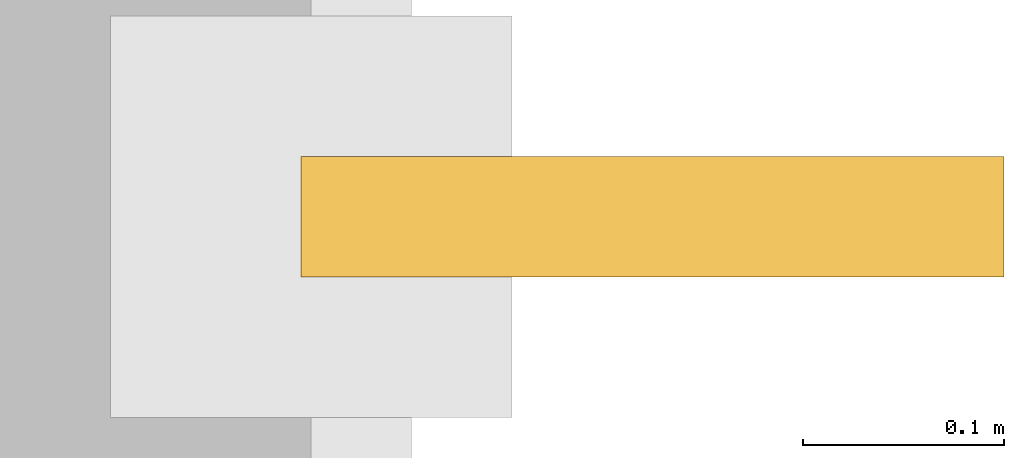
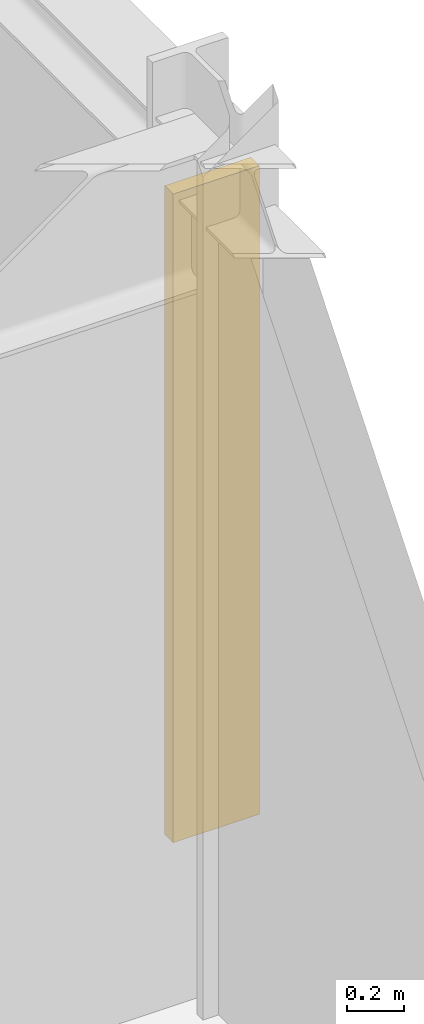
# One storey, part 18 of 18: 1 shading device.
"""IFC4 building model written with IfcOpenShell, lengths in metres."""

import ifcopenshell
import ifcopenshell.guid

model = None  # the IFC model being written
_history = None  # IfcOwnerHistory: only IFC2X3 demands one
_inside = {}  # id of a spatial element -> (the spatial element, [elements in it])
_under = {}  # id of a project, library or spatial element -> (it, [spatial elements below it])
_declared = {}  # id of a project -> (the project, [libraries it declares])
_typed = {}  # id of a type object -> (the type object, [elements of that type])
_made_of = {}  # id of a material, layer set ... -> (it, [elements and type objects made of it])


def new_model(schema):
    """Start an empty IFC model of exactly this schema.

    Asked for "IFC4X3", IfcOpenShell would pick the latest addendum, in which some entities
    have other attributes; the version numbers below select the first issue.
    IFC2X3 requires an IfcOwnerHistory on every rooted entity: one is made here for all.
    """
    global model, _history
    if schema == "IFC4X3":
        model = ifcopenshell.file(schema_version=(4, 3, 0, 0))
    else:
        model = ifcopenshell.file(schema=schema)
    _inside.clear()
    _under.clear()
    _declared.clear()
    _typed.clear()
    _made_of.clear()
    _history = None
    if model.schema == "IFC2X3":
        org = make("IfcOrganization", Name="unknown")
        user = make(
            "IfcPersonAndOrganization",
            ThePerson=make("IfcPerson", FamilyName="unknown"),
            TheOrganization=org,
        )
        app = make(
            "IfcApplication",
            ApplicationDeveloper=org,
            Version="unknown",
            ApplicationFullName="unknown",
            ApplicationIdentifier="unknown",
        )
        _history = make(
            "IfcOwnerHistory",
            OwningUser=user,
            OwningApplication=app,
            ChangeAction="ADDED",
            CreationDate=0,
        )
    return model


def make(cls, **values):
    """One entity of the class cls with the attributes given. An attribute that is None is left unset."""
    return model.create_entity(
        cls, **{name: value for name, value in values.items() if value is not None}
    )


def rooted(cls, **values):
    """An entity with a GlobalId (a new one), such as an element, a storey or a relation."""
    return make(cls, GlobalId=ifcopenshell.guid.new(), OwnerHistory=_history, **values)


def si_unit(unit_type, name, prefix=None):
    """IfcSIUnit, for example si_unit("LENGTHUNIT", "METRE", prefix="MILLI")."""
    return make("IfcSIUnit", UnitType=unit_type, Prefix=prefix, Name=name)


def assignment(units):
    """IfcUnitAssignment: the units of a project."""
    return None if units is None else make("IfcUnitAssignment", Units=units)


def point(xyz):
    """IfcCartesianPoint."""
    return None if xyz is None else make("IfcCartesianPoint", Coordinates=xyz)


def direction(xyz):
    """IfcDirection."""
    return None if xyz is None else make("IfcDirection", DirectionRatios=xyz)


def frame(location, z_axis=None, x_axis=None):
    """IfcAxis2Placement3D, a coordinate frame: its origin and axes. An axis left out is left unset."""
    return make(
        "IfcAxis2Placement3D",
        Location=point(location),
        Axis=direction(z_axis),
        RefDirection=direction(x_axis),
    )


def frame_2d(location, x_axis=None):
    """IfcAxis2Placement2D, a coordinate frame in the plane: its origin and x axis."""
    return make(
        "IfcAxis2Placement2D", Location=point(location), RefDirection=direction(x_axis)
    )


def origin():
    """The frame at (0, 0, 0) with its axes left unset."""
    return frame((0.0, 0.0, 0.0))


def origin_2d():
    """The frame at (0, 0) in the plane with its x axis left unset."""
    return frame_2d((0.0, 0.0))


def place(relative_to, where):
    """IfcLocalPlacement: puts the frame where relative to a parent placement (None: the world)."""
    return make(
        "IfcLocalPlacement", PlacementRelTo=relative_to, RelativePlacement=where
    )


def context(
    kind, dimensions, precision=None, world=None, true_north=None, identifier=None
):
    """IfcGeometricRepresentationContext, for example the 3D "Model" context."""
    return make(
        "IfcGeometricRepresentationContext",
        ContextIdentifier=identifier,
        ContextType=kind,
        CoordinateSpaceDimension=dimensions,
        Precision=precision,
        WorldCoordinateSystem=world,
        TrueNorth=true_north,
    )


def subcontext(parent, identifier, kind, view, scale=None):
    """IfcGeometricRepresentationSubContext, for example "Body" below "Model"."""
    return make(
        "IfcGeometricRepresentationSubContext",
        ContextIdentifier=identifier,
        ContextType=kind,
        ParentContext=parent,
        TargetScale=scale,
        TargetView=view,
    )


def project(units=None, contexts=None):
    """IfcProject with its units and contexts."""
    return rooted(
        "IfcProject",
        Name="project",
        RepresentationContexts=contexts,
        UnitsInContext=assignment(units),
    )


def spatial(cls, under=None, at=None, **own):
    """A site, building, storey or space (cls), placed at a placement, below another one or the project."""
    s = rooted(cls, ObjectPlacement=at, **own)
    if under is not None:
        _under.setdefault(under.id(), (under, []))[1].append(s)
    return s


def profile(cls, at=None, kind="AREA", **sizes):
    """A parametric profile (cls). Its sizes go by their IFC names, for example OverallWidth=200.0."""
    return make(cls, ProfileType=kind, Position=at, **sizes)


def rectangle(**sizes):
    """IfcRectangleProfileDef."""
    return profile("IfcRectangleProfileDef", **sizes)


def extrude(swept, where, along, depth):
    """IfcExtrudedAreaSolid: the profile swept, set in the frame where, extruded along a direction by depth."""
    return make(
        "IfcExtrudedAreaSolid",
        SweptArea=swept,
        Position=where,
        ExtrudedDirection=direction(along),
        Depth=depth,
    )


def shape(context_of_items, identifier, shape_type, items):
    """IfcShapeRepresentation: the items that make up one representation, for example the "Body"."""
    return make(
        "IfcShapeRepresentation",
        ContextOfItems=context_of_items,
        RepresentationIdentifier=identifier,
        RepresentationType=shape_type,
        Items=items,
    )


def material(Name=None, Category=None):
    """IfcMaterial."""
    return make("IfcMaterial", Name=Name, Category=Category)


def layer(
    of_material, thickness, ventilated=None, Name=None, Category=None, Priority=None
):
    """IfcMaterialLayer: one layer of a wall or slab, of a material (None: an air gap)."""
    return make(
        "IfcMaterialLayer",
        Material=of_material,
        LayerThickness=thickness,
        IsVentilated=ventilated,
        Name=Name,
        Category=Category,
        Priority=Priority,
    )


def layer_set(layers, Name=None):
    """IfcMaterialLayerSet."""
    return make("IfcMaterialLayerSet", MaterialLayers=layers, LayerSetName=Name)


def made_of(thing, what):
    """Note that an element or type object is made of a material, layer set ...; save() writes the relation."""
    if what is not None:
        _made_of.setdefault(what.id(), (what, []))[1].append(thing)
    return thing


def type_object(cls, material=None, **own):
    """A type object (cls), such as IfcWallType, which elements share."""
    return made_of(rooted(cls, **own), material)


def element(
    cls,
    number,
    at=None,
    inside=None,
    cuts=None,
    type_object=None,
    material=None,
    context=None,
    identifier="Body",
    shape_type=None,
    held_by="IfcProductDefinitionShape",
    body=None,
    shapes=None,
    **own,
):
    """One element of the class cls, such as IfcWall. Its Tag is "e" and its number.

    at: its placement. inside: the storey or other place that contains it. cuts: it is an
    opening in that element (IfcRelVoidsElement). A single representation is given by context,
    identifier, shape_type and body (its items); several are given by shapes. held_by: the class
    of the entity that holds the representations. save() writes the other relations.
    """
    e = rooted(cls, Tag="e%d" % number, ObjectPlacement=at, **own)
    if body is not None:
        shapes = [shape(context, identifier, shape_type, body)]
    if shapes is not None:
        e.Representation = make(held_by, Representations=shapes)
    if inside is not None:
        _inside.setdefault(inside.id(), (inside, []))[1].append(e)
    if cuts is not None:
        rooted(
            "IfcRelVoidsElement", RelatingBuildingElement=cuts, RelatedOpeningElement=e
        )
    if type_object is not None:
        _typed.setdefault(type_object.id(), (type_object, []))[1].append(e)
    return made_of(e, material)


def aggregate(whole, parts):
    """IfcRelAggregates: a whole, such as a stair, and the parts it consists of."""
    return rooted("IfcRelAggregates", RelatingObject=whole, RelatedObjects=parts)


def save(model, path):
    """Write the relations noted so far, then the file.

    IfcRelAggregates (storeys below a building ...), IfcRelContainedInSpatialStructure (elements
    in a storey), IfcRelDefinesByType, IfcRelAssociatesMaterial and IfcRelDeclares: one each for
    every whole, place, type object, material and project.
    """
    for whole, parts in _under.values():
        aggregate(whole, parts)
    for where, things in _inside.values():
        rooted(
            "IfcRelContainedInSpatialStructure",
            RelatedElements=things,
            RelatingStructure=where,
        )
    for kind, things in _typed.values():
        rooted("IfcRelDefinesByType", RelatedObjects=things, RelatingType=kind)
    for what, things in _made_of.values():
        rooted("IfcRelAssociatesMaterial", RelatedObjects=things, RelatingMaterial=what)
    for by, libraries in _declared.values():
        rooted("IfcRelDeclares", RelatingContext=by, RelatedDefinitions=libraries)
    model.write(path)


model = new_model("IFC4")

# Units and contexts
model_context = context("Model", 3, precision=1e-05, world=origin(), true_north=direction((0.0, 1.0)))
body_context = subcontext(model_context, "Body", "Model", "MODEL_VIEW")
ifc_project = project(units=[si_unit("LENGTHUNIT", "METRE"), si_unit("AREAUNIT", "SQUARE_METRE"), si_unit("VOLUMEUNIT", "CUBIC_METRE"), si_unit("PLANEANGLEUNIT", "RADIAN"), si_unit("MASSUNIT", "GRAM", prefix="KILO")], contexts=[model_context])

# Site, building, storey
site_placement = place(None, origin())
site = spatial("IfcSite", under=ifc_project, at=site_placement, CompositionType="ELEMENT")
building_placement = place(site_placement, origin())
building = spatial("IfcBuilding", under=site, at=building_placement, Name="Shalkamar Park Central Library", CompositionType="ELEMENT")
storey_placement = place(building_placement, frame((0.0, 0.0, 24.300048828125)))
storey = spatial("IfcBuildingStorey", under=building, at=storey_placement, Name="L06", CompositionType="ELEMENT", Elevation=24.300048828125)

# Shading device
ifc_material = material(Name="Anodized bronze aluminium solar fin", Category="aluminium")
ifc_layer = layer(ifc_material, 0.06005859375)
ifc_layer_set = layer_set([ifc_layer], Name="BronzeSolarLouvreBlade")
shading_device_type = type_object("IfcShadingDeviceType", Name="Bronze Solar Louvre Blade", PredefinedType="SHUTTER", material=ifc_layer_set)
shading_device_placement = place(storey_placement, frame((221.260009765625, 286.055908203125, 0.2998046875), z_axis=(0.0, 0.0, 1.0), x_axis=(1.0, 0.0, 0.0)))
element("IfcShadingDevice", 1, at=shading_device_placement, inside=storey, type_object=shading_device_type, Name="Vertical Solar Fin L06-012", PredefinedType="SHUTTER", context=body_context, shape_type="SweptSolid", body=[
    extrude(rectangle(XDim=0.35009765625, YDim=0.06005859375, at=origin_2d()), origin(), (0.0, 0.0, 1.0), 2.7880859375),
])

save(model, "model.ifc")
